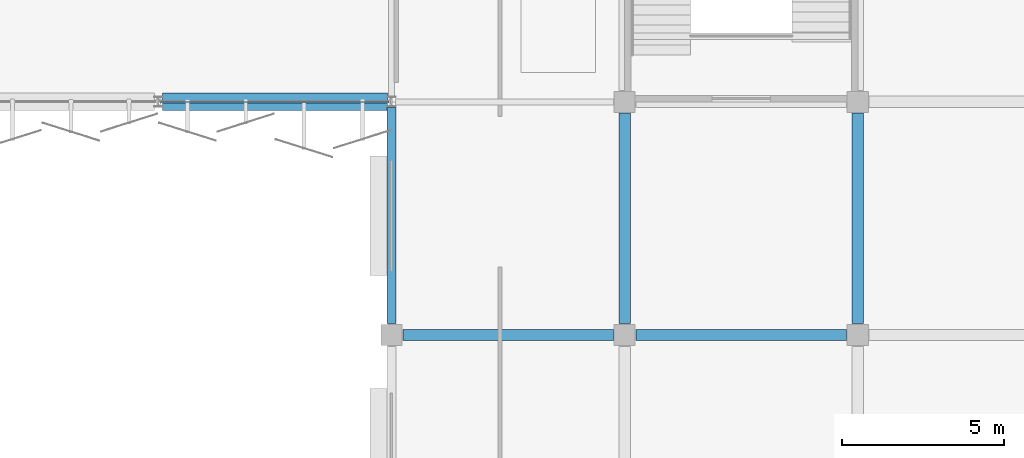
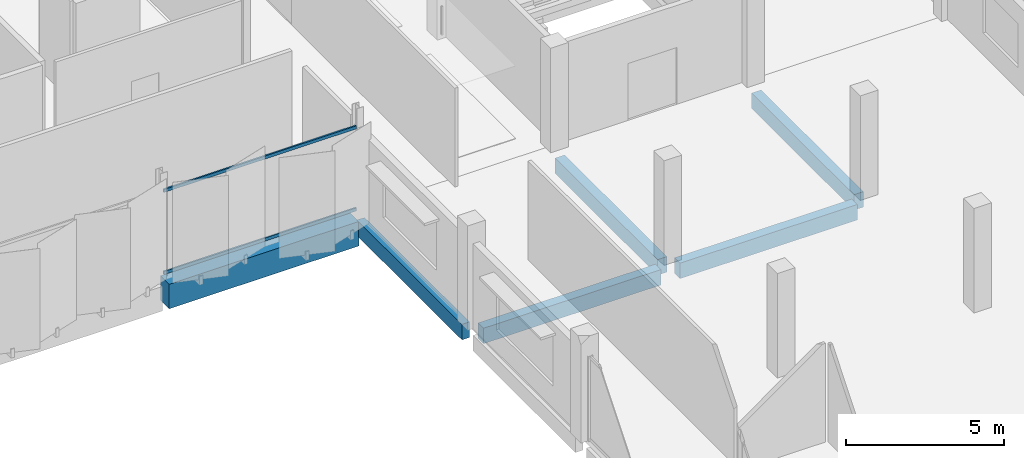
# One storey, part 39 of 77: 6 beams, 2 members, 1 element without a shape of its own.
"""IFC4 building model written with IfcOpenShell, lengths in metres."""

from ifc_helpers import new_model, si_unit, direction, frame, origin, origin_2d, place, context, subcontext, project, spatial, rectangle, hollow_rectangle, extrude, material, layer, layer_set, material_profile, profile_set, type_object, element, aggregate, save


model = new_model("IFC4")

# Units and contexts
model_context = context("Model", 3, precision=1e-05, world=origin(), true_north=direction((0.0, 1.0)))
body_context = subcontext(model_context, "Body", "Model", "MODEL_VIEW")
ifc_project = project(units=[si_unit("LENGTHUNIT", "METRE"), si_unit("AREAUNIT", "SQUARE_METRE"), si_unit("VOLUMEUNIT", "CUBIC_METRE"), si_unit("PLANEANGLEUNIT", "RADIAN"), si_unit("MASSUNIT", "GRAM", prefix="KILO")], contexts=[model_context])

# Site, building, storey
site_placement = place(None, origin())
site = spatial("IfcSite", under=ifc_project, at=site_placement, CompositionType="ELEMENT")
building_placement = place(site_placement, origin())
building = spatial("IfcBuilding", under=site, at=building_placement, Name="Kangsadwip Square Police Headquarters", CompositionType="ELEMENT")
storey_placement = place(building_placement, frame((0.0, 0.0, 17.550048828125)))
storey = spatial("IfcBuildingStorey", under=building, at=storey_placement, Name="L04", CompositionType="ELEMENT", Elevation=17.550048828125)

# Curtain wall, members
ifc_material_1 = material(Name="Thermally broken anodised aluminium AW-6063-T6", Category="aluminium")
ifc_layer = layer(ifc_material_1, 0.159912109375)
ifc_layer_set = layer_set([ifc_layer], Name="Thermally broken anodised aluminium AW-6063-T6")
curtain_wall_type = type_object("IfcCurtainWallType", Name="CourtScreen7180x3300", PredefinedType="USERDEFINED", material=ifc_layer_set)
curtain_wall_placement = place(storey_placement, origin())
curtain_wall = element("IfcCurtainWall", 1, at=curtain_wall_placement, inside=storey, type_object=curtain_wall_type, Name="Curtain Wall CW-L04-1368-0936", ObjectType="GLAZED_SCREEN", PredefinedType="USERDEFINED")
ifc_material_2 = material(Name="Thermally broken anodised aluminium AW-6063-T6", Category="aluminium")
ifc_material_profile_1 = material_profile(ifc_material_2, hollow_rectangle(XDim=0.06005859375, YDim=0.1201171875, WallThickness=0.00390625, at=origin_2d()), Name="CWT 120X60X4")
ifc_profile_set_1 = profile_set([ifc_material_profile_1], Name="Thermally broken anodised aluminium AW-6063-T6")
member_type = type_object("IfcMemberType", Name="CwTransom120x55", PredefinedType="USERDEFINED", material=ifc_profile_set_1)
member_1_placement = place(storey_placement, frame((136.8701171875, 93.60009765625, 0.06005859375), z_axis=(1.0, 0.0, 0.0), x_axis=(0.0, 1.0, 0.0)))
member_1 = element("IfcMember", 2, at=member_1_placement, type_object=member_type, Name="CW-42 transom 1.1", ObjectType="TRANSOM", PredefinedType="USERDEFINED", context=body_context, shape_type="SweptSolid", body=[
    extrude(hollow_rectangle(XDim=0.06005859375, YDim=0.1201171875, WallThickness=0.00390625, at=origin_2d()), origin(), (0.0, 0.0, 1.0), 7.059814453125),
])
member_2_placement = place(storey_placement, frame((136.8701171875, 93.60009765625, 3.239990234375), z_axis=(1.0, 0.0, 0.0), x_axis=(0.0, 1.0, 0.0)))
member_2 = element("IfcMember", 3, at=member_2_placement, type_object=member_type, Name="CW-42 transom 1.2", ObjectType="TRANSOM", PredefinedType="USERDEFINED", context=body_context, shape_type="SweptSolid", body=[
    extrude(hollow_rectangle(XDim=0.06005859375, YDim=0.1201171875, WallThickness=0.00390625, at=origin_2d()), origin(), (0.0, 0.0, 1.0), 7.059814453125),
])
aggregate(curtain_wall, [member_1, member_2])

# Beams
ifc_material_3 = material(Name="Concrete M35 (35 MPa)", Category="concrete")
ifc_material_profile_2 = material_profile(ifc_material_3, rectangle(XDim=0.35009765625, YDim=0.60009765625, at=origin_2d()), Name="RC BM 600X350")
ifc_profile_set_2 = profile_set([ifc_material_profile_2], Name="Concrete M35 (35 MPa)")
beam_type_1 = type_object("IfcBeamType", Name="RcBeam600x350", PredefinedType="BEAM", material=ifc_profile_set_2)
for number, where, z_axis, x_axis, name in (
    (4, (144.35009765625, 86.39990234375, -0.5400390625), (1.0, 0.0, 0.0), (0.0, 1.0, 0.0), "Beam BM-L04-X-20-12"),
    (5, (151.550048828125, 86.39990234375, -0.5400390625), (1.0, 0.0, 0.0), (0.0, 1.0, 0.0), "Beam BM-L04-X-21-12"),
    (6, (151.199951171875, 86.75, -0.5400390625), (0.0, 1.0, 0.0), (-1.0, 0.0, 0.0), "Beam BM-L04-Y-21-12"),
    (7, (158.39990234375, 86.75, -0.5400390625), (0.0, 1.0, 0.0), (-1.0, 0.0, 0.0), "Beam BM-L04-Y-22-12"),
):
    element("IfcBeam", number, at=place(storey_placement, frame(where, z_axis=z_axis, x_axis=x_axis)), inside=storey, type_object=beam_type_1, Name=name, PredefinedType="BEAM", context=body_context, shape_type="SweptSolid", body=[
        extrude(rectangle(XDim=0.35009765625, YDim=0.60009765625, at=origin_2d()), origin(), (0.0, 0.0, 1.0), 6.5),
    ])
ifc_material_4 = material(Name="Concrete M40 (40 MPa)", Category="concrete")
ifc_material_profile_3 = material_profile(ifc_material_4, rectangle(XDim=0.280029296875, YDim=0.60009765625, at=origin_2d()), Name="RC SPN 600X280")
ifc_profile_set_3 = profile_set([ifc_material_profile_3], Name="Concrete M40 (40 MPa)")
beam_type_2 = type_object("IfcBeamType", Name="RcSpandrel600x280", PredefinedType="SPANDREL", material=ifc_profile_set_3)
beam_1_placement = place(storey_placement, frame((144.0, 86.75, -0.5400390625), z_axis=(0.0, 1.0, 0.0), x_axis=(-1.0, 0.0, 0.0)))
element("IfcBeam", 8, at=beam_1_placement, inside=storey, type_object=beam_type_2, Name="Beam BM-L04-Y-20-12", PredefinedType="SPANDREL", context=body_context, shape_type="SweptSolid", body=[
    extrude(rectangle(XDim=0.280029296875, YDim=0.60009765625, at=origin_2d()), origin(), (0.0, 0.0, 1.0), 6.675048828125),
])
ifc_material_5 = material(Name="Concrete M40 (40 MPa)", Category="concrete")
ifc_material_profile_4 = material_profile(ifc_material_5, rectangle(XDim=0.550048828125, YDim=0.949951171875, at=origin_2d()), Name="RC TG 950X550")
ifc_profile_set_4 = profile_set([ifc_material_profile_4], Name="Concrete M40 (40 MPa)")
beam_type_3 = type_object("IfcBeamType", Name="RcTransfer950x550", PredefinedType="USERDEFINED", material=ifc_profile_set_4)
beam_2_placement = place(storey_placement, frame((136.925048828125, 93.60009765625, -0.715087890625), z_axis=(1.0, 0.0, 0.0), x_axis=(0.0, 1.0, 0.0)))
element("IfcBeam", 9, at=beam_2_placement, inside=storey, type_object=beam_type_3, Name="Beam BM-L04-X-19-13", ObjectType="TRANSFER_GIRDER", PredefinedType="USERDEFINED", context=body_context, shape_type="SweptSolid", body=[
    extrude(rectangle(XDim=0.550048828125, YDim=0.949951171875, at=origin_2d()), origin(), (0.0, 0.0, 1.0), 6.949951171875),
])

save(model, "model.ifc")
